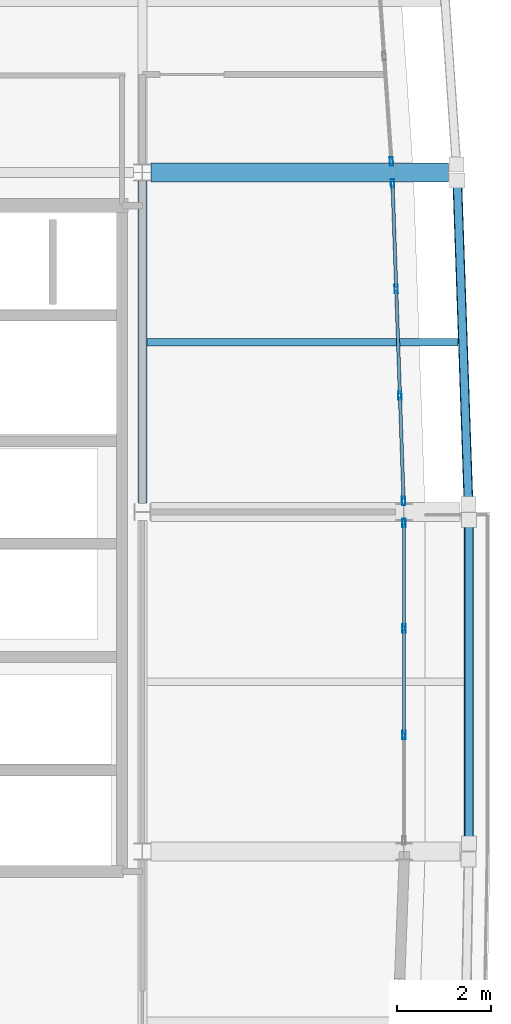
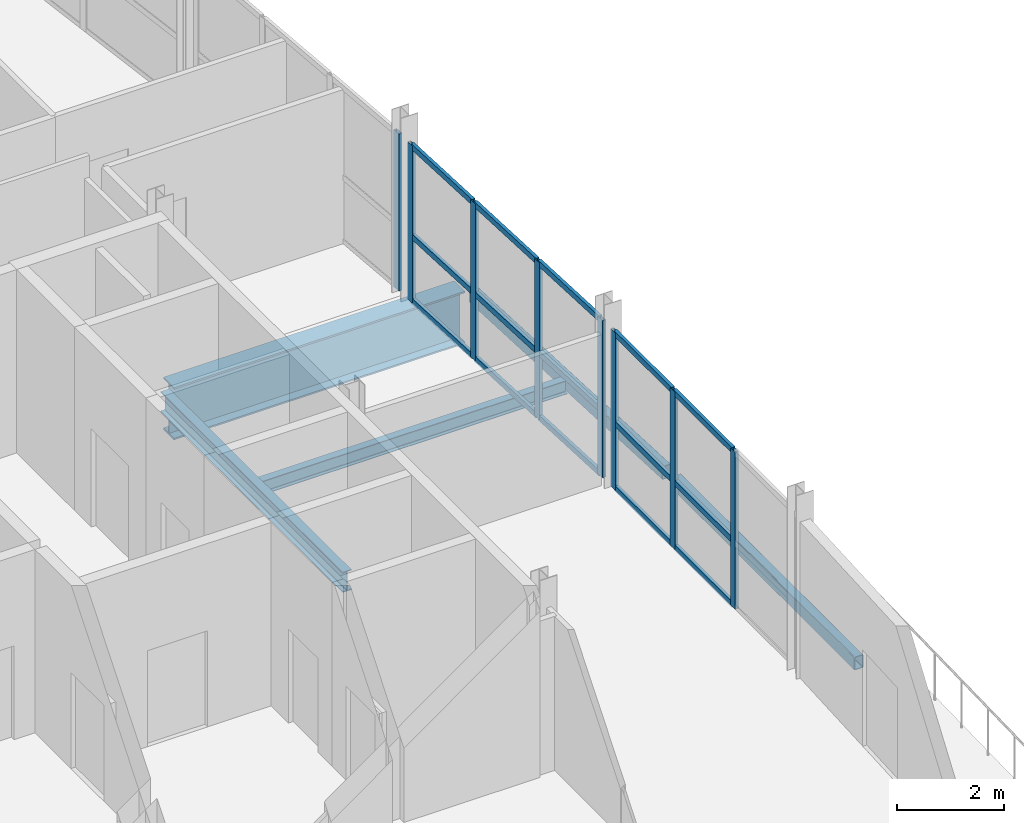
# One storey, part 4 of 17: 23 members, 5 beams, 3 elements without a shape of their own.
"""IFC4 building model written with IfcOpenShell, lengths in metres."""

from ifc_helpers import new_model, si_unit, direction, frame, origin, origin_2d, place, context, subcontext, project, spatial, hollow_rectangle, i_section, extrude, material, layer, layer_set, material_profile, profile_set, type_object, element, aggregate, save


model = new_model("IFC4")

# Units and contexts
model_context = context("Model", 3, precision=1e-05, world=origin(), true_north=direction((0.0, 1.0)))
body_context = subcontext(model_context, "Body", "Model", "MODEL_VIEW")
ifc_project = project(units=[si_unit("LENGTHUNIT", "METRE"), si_unit("AREAUNIT", "SQUARE_METRE"), si_unit("VOLUMEUNIT", "CUBIC_METRE"), si_unit("PLANEANGLEUNIT", "RADIAN"), si_unit("MASSUNIT", "GRAM", prefix="KILO")], contexts=[model_context])

# Site, building, storey
site_placement = place(None, origin())
site = spatial("IfcSite", under=ifc_project, at=site_placement, CompositionType="ELEMENT")
building_placement = place(site_placement, origin())
building = spatial("IfcBuilding", under=site, at=building_placement, Name="Quillay Park Conservatory", CompositionType="ELEMENT")
storey_placement = place(building_placement, frame((0.0, 0.0, 47.699951171875)))
storey = spatial("IfcBuildingStorey", under=building, at=storey_placement, Name="L11", CompositionType="ELEMENT", Elevation=47.699951171875)

# Beam
ifc_material_1 = material(Name="Steel ASTM A992 Grade 50", Category="steel")
ifc_material_profile_1 = material_profile(ifc_material_1, i_section(OverallWidth=0.166015625, OverallDepth=0.31298828125, WebThickness=0.006591796875, FlangeThickness=0.01123046875, FilletRadius=0.010009765625, at=origin_2d()), Name="W310x45")
ifc_profile_set_1 = profile_set([ifc_material_profile_1], Name="Steel ASTM A992 Grade 50")
beam_type_1 = type_object("IfcBeamType", Name="COMPOSITE FLOOR JOIST W310 X45", PredefinedType="JOIST", material=ifc_profile_set_1)
beam_1_placement = place(storey_placement, frame((19.845947265625, 96.0, -0.38134765625), z_axis=(1.0, 0.0, 0.0), x_axis=(0.0, 1.0, 0.0)))
element("IfcBeam", 1, at=beam_1_placement, inside=storey, type_object=beam_type_1, Name="L11 beam BM-J-0811", PredefinedType="JOIST", context=body_context, shape_type="SweptSolid", body=[
    extrude(i_section(OverallWidth=0.166015625, OverallDepth=0.31298828125, WebThickness=0.006591796875, FlangeThickness=0.01123046875, FilletRadius=0.010009765625, at=origin_2d()), origin(), (0.0, 0.0, 1.0), 6.60400390625),
])

# Curtain wall, members
ifc_material_2 = material(Name="Thermally Broken Anodised Aluminium 6063-T6", Category="aluminium")
ifc_layer = layer(ifc_material_2, 0.179931640625)
ifc_layer_set = layer_set([ifc_layer], Name="UNITISED CURTAIN WALL TOWER (Thermally Broken Anodised Aluminium 6063-T6)")
curtain_wall_type = type_object("IfcCurtainWallType", Name="UNITISED CURTAIN WALL TOWER", PredefinedType="USERDEFINED", material=ifc_layer_set)
curtain_wall_1_placement = place(storey_placement, origin())
curtain_wall_1 = element("IfcCurtainWall", 2, at=curtain_wall_1_placement, inside=storey, type_object=curtain_wall_type, Name="L11 Unitised Curtain Wall 106", ObjectType="UNITISED CURTAIN WALL", PredefinedType="USERDEFINED")
ifc_material_3 = material(Name="Thermally Broken Anodised Aluminium 6063-T6", Category="aluminium")
ifc_material_profile_2 = material_profile(ifc_material_3, hollow_rectangle(XDim=0.070068359375, YDim=0.179931640625, WallThickness=0.00390625, at=origin_2d()), Name="AL70x180x4")
ifc_profile_set_2 = profile_set([ifc_material_profile_2], Name="Thermally Broken Anodised Aluminium 6063-T6")
member_type_1 = type_object("IfcMemberType", Name="CURTAIN WALL MULLION 70 X180", PredefinedType="MULLION", material=ifc_profile_set_2)
member_1_placement = place(storey_placement, frame((25.300048828125, 92.1650390625, 0.0), z_axis=(0.0, 0.0, 1.0), x_axis=(1.0, 0.0, 0.0)))
member_1 = element("IfcMember", 3, at=member_1_placement, type_object=member_type_1, Name="CW-T1 mullion 1", PredefinedType="MULLION", context=body_context, shape_type="SweptSolid", body=[
    extrude(hollow_rectangle(XDim=0.070068359375, YDim=0.179931640625, WallThickness=0.00390625, at=origin_2d()), origin(), (0.0, 0.0, 1.0), 3.59912109375),
])
member_2_placement = place(storey_placement, frame((25.300048828125, 89.933349609375, 0.0), z_axis=(0.0, 0.0, 1.0), x_axis=(1.0, 0.0, 0.0)))
member_2 = element("IfcMember", 4, at=member_2_placement, type_object=member_type_1, Name="CW-T1 mullion 2", PredefinedType="MULLION", context=body_context, shape_type="SweptSolid", body=[
    extrude(hollow_rectangle(XDim=0.070068359375, YDim=0.179931640625, WallThickness=0.00390625, at=origin_2d()), origin(), (0.0, 0.0, 1.0), 3.59912109375),
])
member_3_placement = place(storey_placement, frame((25.300048828125, 87.666748046875, 0.0), z_axis=(0.0, 0.0, 1.0), x_axis=(1.0, 0.0, 0.0)))
member_3 = element("IfcMember", 5, at=member_3_placement, type_object=member_type_1, Name="CW-T1 mullion 3", PredefinedType="MULLION", context=body_context, shape_type="SweptSolid", body=[
    extrude(hollow_rectangle(XDim=0.070068359375, YDim=0.179931640625, WallThickness=0.00390625, at=origin_2d()), origin(), (0.0, 0.0, 1.0), 3.59912109375),
])

curtain_wall_2_placement = place(storey_placement, origin())
curtain_wall_2 = element("IfcCurtainWall", 6, at=curtain_wall_2_placement, inside=storey, type_object=curtain_wall_type, Name="L11 Unitised Curtain Wall 107", ObjectType="UNITISED CURTAIN WALL", PredefinedType="USERDEFINED")
member_4_placement = place(storey_placement, frame((25.05810546875, 99.365234375, 0.0), z_axis=(0.0, 0.0, 1.0), x_axis=(0.999397310446, 0.034713338537, 0.0)))
member_4 = element("IfcMember", 7, at=member_4_placement, type_object=member_type_1, Name="CW-T1 mullion 1", PredefinedType="MULLION", context=body_context, shape_type="SweptSolid", body=[
    extrude(hollow_rectangle(XDim=0.070068359375, YDim=0.179931640625, WallThickness=0.00390625, at=origin_2d()), origin(), (0.0, 0.0, 1.0), 3.59912109375),
])
member_5_placement = place(storey_placement, frame((25.1357421875, 97.13330078125, 0.0), z_axis=(0.0, 0.0, 1.0), x_axis=(0.999397310446, 0.034713338537, 0.0)))
member_5 = element("IfcMember", 8, at=member_5_placement, type_object=member_type_1, Name="CW-T1 mullion 2", PredefinedType="MULLION", context=body_context, shape_type="SweptSolid", body=[
    extrude(hollow_rectangle(XDim=0.070068359375, YDim=0.179931640625, WallThickness=0.00390625, at=origin_2d()), origin(), (0.0, 0.0, 1.0), 3.59912109375),
])
member_6_placement = place(storey_placement, frame((25.21435546875, 94.86669921875, 0.0), z_axis=(0.0, 0.0, 1.0), x_axis=(0.999397310446, 0.034713338537, 0.0)))
member_6 = element("IfcMember", 9, at=member_6_placement, type_object=member_type_1, Name="CW-T1 mullion 3", PredefinedType="MULLION", context=body_context, shape_type="SweptSolid", body=[
    extrude(hollow_rectangle(XDim=0.070068359375, YDim=0.179931640625, WallThickness=0.00390625, at=origin_2d()), origin(), (0.0, 0.0, 1.0), 3.59912109375),
])
member_7_placement = place(storey_placement, frame((25.2919921875, 92.634765625, 0.0), z_axis=(0.0, 0.0, 1.0), x_axis=(0.999397310446, 0.034713338537, 0.0)))
member_7 = element("IfcMember", 10, at=member_7_placement, type_object=member_type_1, Name="CW-T1 mullion 4", PredefinedType="MULLION", context=body_context, shape_type="SweptSolid", body=[
    extrude(hollow_rectangle(XDim=0.070068359375, YDim=0.179931640625, WallThickness=0.00390625, at=origin_2d()), origin(), (0.0, 0.0, 1.0), 3.59912109375),
])

# Curtain wall, member
curtain_wall_3_placement = place(storey_placement, origin())
curtain_wall_3 = element("IfcCurtainWall", 11, at=curtain_wall_3_placement, inside=storey, type_object=curtain_wall_type, Name="L11 Unitised Curtain Wall 108", ObjectType="UNITISED CURTAIN WALL", PredefinedType="USERDEFINED")
member_8_placement = place(storey_placement, frame((25.03369140625, 99.83447265625, 0.0), z_axis=(0.0, 0.0, 1.0), x_axis=(0.99759835015, 0.069264217159, 0.0)))
member_8 = element("IfcMember", 12, at=member_8_placement, type_object=member_type_1, Name="CW-T1 mullion 4", PredefinedType="MULLION", context=body_context, shape_type="SweptSolid", body=[
    extrude(hollow_rectangle(XDim=0.070068359375, YDim=0.179931640625, WallThickness=0.00390625, at=origin_2d()), origin(), (0.0, 0.0, 1.0), 3.59912109375),
])
aggregate(curtain_wall_3, [member_8])

# Member
ifc_material_4 = material(Name="Thermally Broken Anodised Aluminium 6063-T6", Category="aluminium")
ifc_material_profile_3 = material_profile(ifc_material_4, hollow_rectangle(XDim=0.070068359375, YDim=0.1298828125, WallThickness=0.003173828125, at=origin_2d()), Name="AL70x130x3.2")
ifc_profile_set_3 = profile_set([ifc_material_profile_3], Name="Thermally Broken Anodised Aluminium 6063-T6")
member_type_2 = type_object("IfcMemberType", Name="CURTAIN WALL TRANSOM 70 X130", PredefinedType="USERDEFINED", material=ifc_profile_set_3)
member_9_placement = place(storey_placement, frame((25.300048828125, 92.1298828125, 0.03515625), z_axis=(0.0, -1.0, 0.0), x_axis=(1.0, 0.0, 0.0)))
member_9 = element("IfcMember", 13, at=member_9_placement, type_object=member_type_2, Name="CW-T1 transom 1.1", ObjectType="TRANSOM", PredefinedType="USERDEFINED", context=body_context, shape_type="SweptSolid", body=[
    extrude(hollow_rectangle(XDim=0.070068359375, YDim=0.1298828125, WallThickness=0.003173828125, at=origin_2d()), origin(), (0.0, 0.0, 1.0), 2.16162109375),
])

member_10_placement = place(storey_placement, frame((25.300048828125, 92.1298828125, 1.51171875), z_axis=(0.0, -1.0, 0.0), x_axis=(1.0, 0.0, 0.0)))
member_10 = element("IfcMember", 14, at=member_10_placement, type_object=member_type_2, Name="CW-T1 transom 1.2", ObjectType="TRANSOM", PredefinedType="USERDEFINED", context=body_context, shape_type="SweptSolid", body=[
    extrude(hollow_rectangle(XDim=0.070068359375, YDim=0.1298828125, WallThickness=0.003173828125, at=origin_2d()), origin(), (0.0, 0.0, 1.0), 2.16162109375),
])

member_11_placement = place(storey_placement, frame((25.300048828125, 92.1298828125, 3.56396484375), z_axis=(0.0, -1.0, 0.0), x_axis=(1.0, 0.0, 0.0)))
member_11 = element("IfcMember", 15, at=member_11_placement, type_object=member_type_2, Name="CW-T1 transom 1.3", ObjectType="TRANSOM", PredefinedType="USERDEFINED", context=body_context, shape_type="SweptSolid", body=[
    extrude(hollow_rectangle(XDim=0.070068359375, YDim=0.1298828125, WallThickness=0.003173828125, at=origin_2d()), origin(), (0.0, 0.0, 1.0), 2.16162109375),
])

member_12_placement = place(storey_placement, frame((25.300048828125, 89.8984375, 0.03515625), z_axis=(0.0, -1.0, 0.0), x_axis=(1.0, 0.0, 0.0)))
member_12 = element("IfcMember", 16, at=member_12_placement, type_object=member_type_2, Name="CW-T1 transom 2.1", ObjectType="TRANSOM", PredefinedType="USERDEFINED", context=body_context, shape_type="SweptSolid", body=[
    extrude(hollow_rectangle(XDim=0.070068359375, YDim=0.1298828125, WallThickness=0.003173828125, at=origin_2d()), origin(), (0.0, 0.0, 1.0), 2.19677734375),
])

member_13_placement = place(storey_placement, frame((25.300048828125, 89.8984375, 1.51171875), z_axis=(0.0, -1.0, 0.0), x_axis=(1.0, 0.0, 0.0)))
member_13 = element("IfcMember", 17, at=member_13_placement, type_object=member_type_2, Name="CW-T1 transom 2.2", ObjectType="TRANSOM", PredefinedType="USERDEFINED", context=body_context, shape_type="SweptSolid", body=[
    extrude(hollow_rectangle(XDim=0.070068359375, YDim=0.1298828125, WallThickness=0.003173828125, at=origin_2d()), origin(), (0.0, 0.0, 1.0), 2.19677734375),
])

member_14_placement = place(storey_placement, frame((25.300048828125, 89.8984375, 3.56396484375), z_axis=(0.0, -1.0, 0.0), x_axis=(1.0, 0.0, 0.0)))
member_14 = element("IfcMember", 18, at=member_14_placement, type_object=member_type_2, Name="CW-T1 transom 2.3", ObjectType="TRANSOM", PredefinedType="USERDEFINED", context=body_context, shape_type="SweptSolid", body=[
    extrude(hollow_rectangle(XDim=0.070068359375, YDim=0.1298828125, WallThickness=0.003173828125, at=origin_2d()), origin(), (0.0, 0.0, 1.0), 2.19677734375),
])

aggregate(curtain_wall_1, [member_1, member_2, member_3, member_9, member_10, member_11, member_12, member_13, member_14])

member_15_placement = place(storey_placement, frame((25.059326171875, 99.330078125, 0.03515625), z_axis=(0.034765508592, -0.999395496994, 0.0), x_axis=(0.999395496994, 0.034765508592, 0.0)))
member_15 = element("IfcMember", 19, at=member_15_placement, type_object=member_type_2, Name="CW-T1 transom 1.1", ObjectType="TRANSOM", PredefinedType="USERDEFINED", context=body_context, shape_type="SweptSolid", body=[
    extrude(hollow_rectangle(XDim=0.070068359375, YDim=0.1298828125, WallThickness=0.003173828125, at=origin_2d()), origin(), (0.0, 0.0, 1.0), 2.162841796875),
])

member_16_placement = place(storey_placement, frame((25.059326171875, 99.330078125, 1.51171875), z_axis=(0.034765508592, -0.999395496994, 0.0), x_axis=(0.999395496994, 0.034765508592, 0.0)))
member_16 = element("IfcMember", 20, at=member_16_placement, type_object=member_type_2, Name="CW-T1 transom 1.2", ObjectType="TRANSOM", PredefinedType="USERDEFINED", context=body_context, shape_type="SweptSolid", body=[
    extrude(hollow_rectangle(XDim=0.070068359375, YDim=0.1298828125, WallThickness=0.003173828125, at=origin_2d()), origin(), (0.0, 0.0, 1.0), 2.162841796875),
])

member_17_placement = place(storey_placement, frame((25.059326171875, 99.330078125, 3.56396484375), z_axis=(0.034765508592, -0.999395496994, 0.0), x_axis=(0.999395496994, 0.034765508592, 0.0)))
member_17 = element("IfcMember", 21, at=member_17_placement, type_object=member_type_2, Name="CW-T1 transom 1.3", ObjectType="TRANSOM", PredefinedType="USERDEFINED", context=body_context, shape_type="SweptSolid", body=[
    extrude(hollow_rectangle(XDim=0.070068359375, YDim=0.1298828125, WallThickness=0.003173828125, at=origin_2d()), origin(), (0.0, 0.0, 1.0), 2.162841796875),
])

member_18_placement = place(storey_placement, frame((25.136962890625, 97.098388671875, 0.03515625), z_axis=(0.034653546152, -0.999399385501, 0.0), x_axis=(0.999399385501, 0.034653546152, 0.0)))
member_18 = element("IfcMember", 22, at=member_18_placement, type_object=member_type_2, Name="CW-T1 transom 2.1", ObjectType="TRANSOM", PredefinedType="USERDEFINED", context=body_context, shape_type="SweptSolid", body=[
    extrude(hollow_rectangle(XDim=0.070068359375, YDim=0.1298828125, WallThickness=0.003173828125, at=origin_2d()), origin(), (0.0, 0.0, 1.0), 2.197998046875),
])

member_19_placement = place(storey_placement, frame((25.136962890625, 97.098388671875, 1.51171875), z_axis=(0.034653546152, -0.999399385501, 0.0), x_axis=(0.999399385501, 0.034653546152, 0.0)))
member_19 = element("IfcMember", 23, at=member_19_placement, type_object=member_type_2, Name="CW-T1 transom 2.2", ObjectType="TRANSOM", PredefinedType="USERDEFINED", context=body_context, shape_type="SweptSolid", body=[
    extrude(hollow_rectangle(XDim=0.070068359375, YDim=0.1298828125, WallThickness=0.003173828125, at=origin_2d()), origin(), (0.0, 0.0, 1.0), 2.197998046875),
])

member_20_placement = place(storey_placement, frame((25.136962890625, 97.098388671875, 3.56396484375), z_axis=(0.034653546152, -0.999399385501, 0.0), x_axis=(0.999399385501, 0.034653546152, 0.0)))
member_20 = element("IfcMember", 24, at=member_20_placement, type_object=member_type_2, Name="CW-T1 transom 2.3", ObjectType="TRANSOM", PredefinedType="USERDEFINED", context=body_context, shape_type="SweptSolid", body=[
    extrude(hollow_rectangle(XDim=0.070068359375, YDim=0.1298828125, WallThickness=0.003173828125, at=origin_2d()), origin(), (0.0, 0.0, 1.0), 2.197998046875),
])

member_21_placement = place(storey_placement, frame((25.215576171875, 94.83154296875, 0.03515625), z_axis=(0.034765508592, -0.999395496994, 0.0), x_axis=(0.999395496994, 0.034765508592, 0.0)))
member_21 = element("IfcMember", 25, at=member_21_placement, type_object=member_type_2, Name="CW-T1 transom 3.1", ObjectType="TRANSOM", PredefinedType="USERDEFINED", context=body_context, shape_type="SweptSolid", body=[
    extrude(hollow_rectangle(XDim=0.070068359375, YDim=0.1298828125, WallThickness=0.003173828125, at=origin_2d()), origin(), (0.0, 0.0, 1.0), 2.162841796875),
])

member_22_placement = place(storey_placement, frame((25.215576171875, 94.83154296875, 1.51171875), z_axis=(0.034765508592, -0.999395496994, 0.0), x_axis=(0.999395496994, 0.034765508592, 0.0)))
member_22 = element("IfcMember", 26, at=member_22_placement, type_object=member_type_2, Name="CW-T1 transom 3.2", ObjectType="TRANSOM", PredefinedType="USERDEFINED", context=body_context, shape_type="SweptSolid", body=[
    extrude(hollow_rectangle(XDim=0.070068359375, YDim=0.1298828125, WallThickness=0.003173828125, at=origin_2d()), origin(), (0.0, 0.0, 1.0), 2.162841796875),
])

member_23_placement = place(storey_placement, frame((25.215576171875, 94.83154296875, 3.56396484375), z_axis=(0.034765508592, -0.999395496994, 0.0), x_axis=(0.999395496994, 0.034765508592, 0.0)))
member_23 = element("IfcMember", 27, at=member_23_placement, type_object=member_type_2, Name="CW-T1 transom 3.3", ObjectType="TRANSOM", PredefinedType="USERDEFINED", context=body_context, shape_type="SweptSolid", body=[
    extrude(hollow_rectangle(XDim=0.070068359375, YDim=0.1298828125, WallThickness=0.003173828125, at=origin_2d()), origin(), (0.0, 0.0, 1.0), 2.162841796875),
])

aggregate(curtain_wall_2, [member_4, member_5, member_6, member_7, member_15, member_16, member_17, member_18, member_19, member_20, member_21, member_22, member_23])

# Beams
ifc_material_5 = material(Name="Steel S355J2H", Category="steel")
ifc_material_profile_4 = material_profile(ifc_material_5, hollow_rectangle(XDim=0.199951171875, YDim=0.300048828125, WallThickness=0.012451171875, InnerFilletRadius=0.012451171875, OuterFilletRadius=0.02490234375, at=origin_2d()), Name="RHS300x200x12.5")
ifc_profile_set_4 = profile_set([ifc_material_profile_4], Name="Steel S355J2H")
beam_type_2 = type_object("IfcBeamType", Name="PERIMETER SPANDREL BEAM RHS300", PredefinedType="SPANDREL", material=ifc_profile_set_4)
beam_2_placement = place(storey_placement, frame((26.675048828125, 85.382080078125, -0.375), z_axis=(0.0, 1.0, 0.0), x_axis=(-1.0, 0.0, 0.0)))
element("IfcBeam", 28, at=beam_2_placement, inside=storey, type_object=beam_type_2, Name="L11 beam BM-SPE-0801", PredefinedType="SPANDREL", context=body_context, shape_type="SweptSolid", body=[
    extrude(hollow_rectangle(XDim=0.199951171875, YDim=0.300048828125, WallThickness=0.012451171875, InnerFilletRadius=0.012451171875, OuterFilletRadius=0.02490234375, at=origin_2d()), origin(), (0.0, 0.0, 1.0), 6.8359375),
])
beam_3_placement = place(storey_placement, frame((26.668701171875, 92.581787109375, -0.375), z_axis=(-0.034690912886, 0.999398089133, 0.0), x_axis=(-0.999398089133, -0.034690912886, 0.0)))
element("IfcBeam", 29, at=beam_3_placement, inside=storey, type_object=beam_type_2, Name="L11 beam BM-SPE-0807", PredefinedType="SPANDREL", context=body_context, shape_type="SweptSolid", body=[
    extrude(hollow_rectangle(XDim=0.199951171875, YDim=0.300048828125, WallThickness=0.012451171875, InnerFilletRadius=0.012451171875, OuterFilletRadius=0.02490234375, at=origin_2d()), origin(), (0.0, 0.0, 1.0), 6.840576171875),
])
ifc_material_6 = material(Name="Steel ASTM A992 Grade 50", Category="steel")
ifc_material_profile_5 = material_profile(ifc_material_6, i_section(OverallWidth=0.19189453125, OverallDepth=0.462890625, WebThickness=0.010498046875, FlangeThickness=0.017578125, FilletRadius=0.012939453125, at=origin_2d()), Name="W460x89")
ifc_profile_set_5 = profile_set([ifc_material_profile_5], Name="Steel ASTM A992 Grade 50")
beam_type_3 = type_object("IfcBeamType", Name="PRIMARY FLOOR GIRDER W460 X89", PredefinedType="BEAM", material=ifc_profile_set_5)
beam_4_placement = place(storey_placement, frame((19.75, 92.58544921875, -0.45654296875), z_axis=(0.0, 1.0, 0.0), x_axis=(-1.0, 0.0, 0.0)))
element("IfcBeam", 30, at=beam_4_placement, inside=storey, type_object=beam_type_3, Name="L11 beam BM-GNS-0809", PredefinedType="BEAM", context=body_context, shape_type="SweptSolid", body=[
    extrude(i_section(OverallWidth=0.19189453125, OverallDepth=0.462890625, WebThickness=0.010498046875, FlangeThickness=0.017578125, FilletRadius=0.012939453125, at=origin_2d()), origin(), (0.0, 0.0, 1.0), 6.83251953125),
])
ifc_material_7 = material(Name="Steel ASTM A572 Grade 50", Category="steel")
ifc_material_profile_6 = material_profile(ifc_material_7, i_section(OverallWidth=0.39990234375, OverallDepth=1.199951171875, WebThickness=0.02001953125, FlangeThickness=0.0380859375, at=origin_2d()), Name="IG1200x400")
ifc_profile_set_6 = profile_set([ifc_material_profile_6], Name="Steel ASTM A572 Grade 50")
beam_type_4 = type_object("IfcBeamType", Name="TRANSFER PLATE GIRDER IG1200", PredefinedType="USERDEFINED", material=ifc_profile_set_6)
beam_5_placement = place(storey_placement, frame((19.935546875, 99.60009765625, -0.824951171875), z_axis=(1.0, 0.0, 0.0), x_axis=(0.0, 1.0, 0.0)))
element("IfcBeam", 31, at=beam_5_placement, inside=storey, type_object=beam_type_4, Name="L11 beam BM-TG2-0780", ObjectType="TRANSFER PLATE GIRDER", PredefinedType="USERDEFINED", context=body_context, shape_type="SweptSolid", body=[
    extrude(i_section(OverallWidth=0.39990234375, OverallDepth=1.199951171875, WebThickness=0.02001953125, FlangeThickness=0.0380859375, at=origin_2d()), origin(), (0.0, 0.0, 1.0), 6.303955078125),
])

save(model, "model.ifc")
